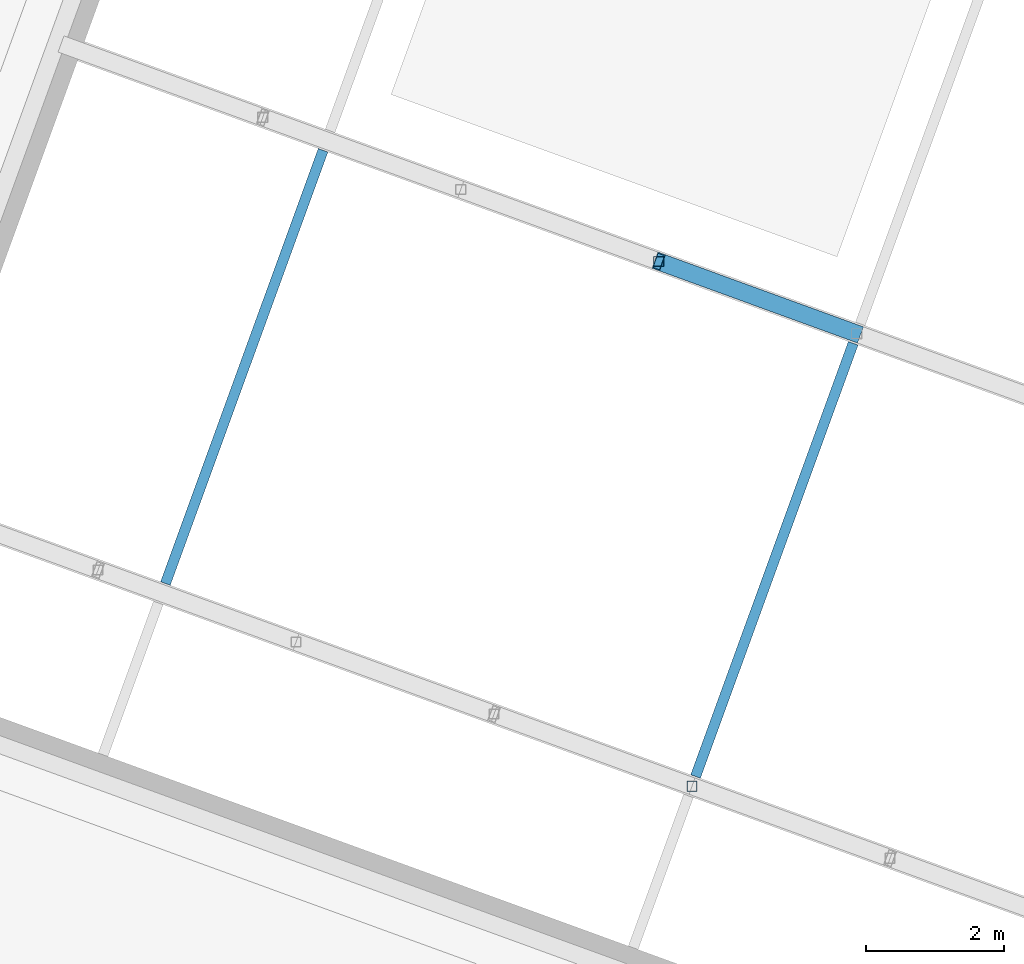
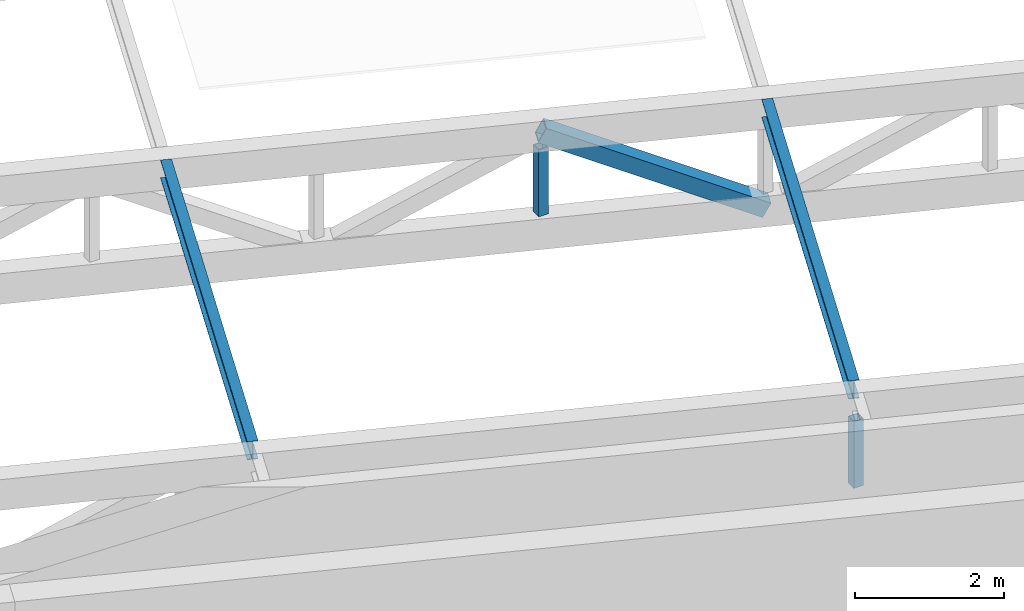
# One storey, part 26 of 72: 5 members.
"""IFC4 building model written with IfcOpenShell, lengths in metres."""

from ifc_helpers import new_model, si_unit, direction, frame, origin, origin_2d, place, context, subcontext, project, spatial, hollow_rectangle, i_section, extrude, material, material_profile, profile_set, type_object, element, save


model = new_model("IFC4")

# Units and contexts
model_context = context("Model", 3, precision=1e-05, world=origin(), true_north=direction((0.0, 1.0)))
body_context = subcontext(model_context, "Body", "Model", "MODEL_VIEW")
ifc_project = project(units=[si_unit("LENGTHUNIT", "METRE"), si_unit("AREAUNIT", "SQUARE_METRE"), si_unit("VOLUMEUNIT", "CUBIC_METRE"), si_unit("PLANEANGLEUNIT", "RADIAN"), si_unit("MASSUNIT", "GRAM", prefix="KILO")], contexts=[model_context])

# Site, building, storey
site_placement = place(None, origin())
site = spatial("IfcSite", under=ifc_project, at=site_placement, CompositionType="ELEMENT")
building_placement = place(site_placement, origin())
building = spatial("IfcBuilding", under=site, at=building_placement, Name="Nzadi Deep Aquarium and Research Tower", CompositionType="ELEMENT")
storey_placement = place(building_placement, frame((0.0, 0.0, 31.89990234375)))
storey = spatial("IfcBuildingStorey", under=building, at=storey_placement, Name="L05", CompositionType="ELEMENT", Elevation=31.89990234375)

# Members
ifc_material_1 = material(Name="Steel S355", Category="steel")
ifc_material_profile_1 = material_profile(ifc_material_1, i_section(OverallWidth=0.14990234375, OverallDepth=0.300048828125, WebThickness=0.007080078125, FlangeThickness=0.0107421875, FilletRadius=0.014892578125, at=origin_2d()))
ifc_profile_set_1 = profile_set([ifc_material_profile_1], Name="Steel S355")
member_type_1 = type_object("IfcMemberType", Name="IPE 300", PredefinedType="PURLIN", material=ifc_profile_set_1)
member_1_placement = place(storey_placement, frame((16.015625, 59.050048828125, 8.650146484375), z_axis=(0.342006360223, 0.93969763731, 0.0), x_axis=(-0.93969763731, 0.342006360223, 0.0)))
element("IfcMember", 1, at=member_1_placement, inside=storey, type_object=member_type_1, Name="MB-PR-R1-PU1-2", PredefinedType="PURLIN", context=body_context, shape_type="SweptSolid", body=[
    extrude(i_section(OverallWidth=0.14990234375, OverallDepth=0.300048828125, WebThickness=0.007080078125, FlangeThickness=0.0107421875, FilletRadius=0.014892578125, at=origin_2d()), origin(), (0.0, 0.0, 1.0), 6.7001953125),
])
member_2_placement = place(storey_placement, frame((23.720947265625, 56.24560546875, 8.650146484375), z_axis=(0.342018071111, 0.939693375008, 0.0), x_axis=(-0.939693375008, 0.342018071111, 0.0)))
element("IfcMember", 2, at=member_2_placement, inside=storey, type_object=member_type_1, Name="MB-PR-R1-PU2-2", PredefinedType="PURLIN", context=body_context, shape_type="SweptSolid", body=[
    extrude(i_section(OverallWidth=0.14990234375, OverallDepth=0.300048828125, WebThickness=0.007080078125, FlangeThickness=0.0107421875, FilletRadius=0.014892578125, at=origin_2d()), origin(), (0.0, 0.0, 1.0), 6.699951171875),
])
ifc_material_2 = material(Name="Steel S355", Category="steel")
ifc_material_profile_2 = material_profile(ifc_material_2, hollow_rectangle(XDim=0.14990234375, YDim=0.14990234375, WallThickness=0.008056640625, at=origin_2d()))
ifc_profile_set_2 = profile_set([ifc_material_profile_2], Name="Steel S355")
member_type_2 = type_object("IfcMemberType", Name="RHS 150x150x8 post 2", PredefinedType="POST", material=ifc_profile_set_2)
for number, where, z_axis, x_axis, name in (
    (3, (23.669677734375, 56.1044921875, 7.2001953125), (0.0, 0.0, 1.0), (1.0, 0.0, 0.0), "MB-PR-R1-T1-V4"),
    (4, (23.18603515625, 63.72998046875, 7.2001953125), (0.0, 0.0, 1.0), (1.0, 0.0, 0.0), "MB-PR-R1-T2-V3"),
):
    element("IfcMember", number, at=place(storey_placement, frame(where, z_axis=z_axis, x_axis=x_axis)), inside=storey, type_object=member_type_2, Name=name, PredefinedType="POST", context=body_context, shape_type="SweptSolid", body=[
        extrude(hollow_rectangle(XDim=0.14990234375, YDim=0.14990234375, WallThickness=0.008056640625, at=origin_2d()), origin(), (0.0, 0.0, 1.0), 1.099853515625),
    ])
ifc_material_3 = material(Name="Steel S355", Category="steel")
ifc_material_profile_3 = material_profile(ifc_material_3, hollow_rectangle(XDim=0.25, YDim=0.25, WallThickness=0.01611328125, at=origin_2d()))
ifc_profile_set_3 = profile_set([ifc_material_profile_3], Name="Steel S355")
member_type_3 = type_object("IfcMemberType", Name="RHS 250x250x16 brace", PredefinedType="BRACE", material=ifc_profile_set_3)
member_3_placement = place(storey_placement, frame((23.18603515625, 63.72998046875, 8.550048828125), z_axis=(0.832867607406, -0.303201400134, -0.463033972286), x_axis=(0.342082290984, 0.939669998561, 0.0)))
element("IfcMember", 5, at=member_3_placement, inside=storey, type_object=member_type_3, Name="MB-PR-R1-T2-D4", PredefinedType="BRACE", context=body_context, shape_type="SweptSolid", body=[
    extrude(hollow_rectangle(XDim=0.25, YDim=0.25, WallThickness=0.01611328125, at=origin_2d()), origin(), (0.0, 0.0, 1.0), 3.455078125),
])

save(model, "model.ifc")
